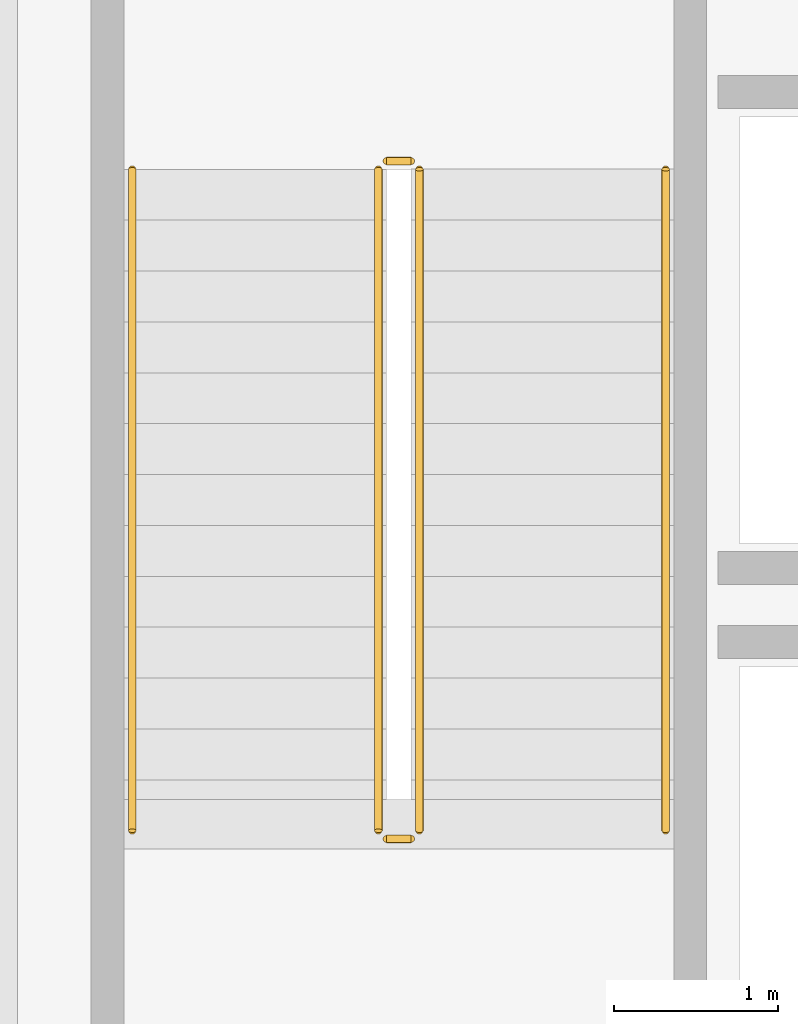
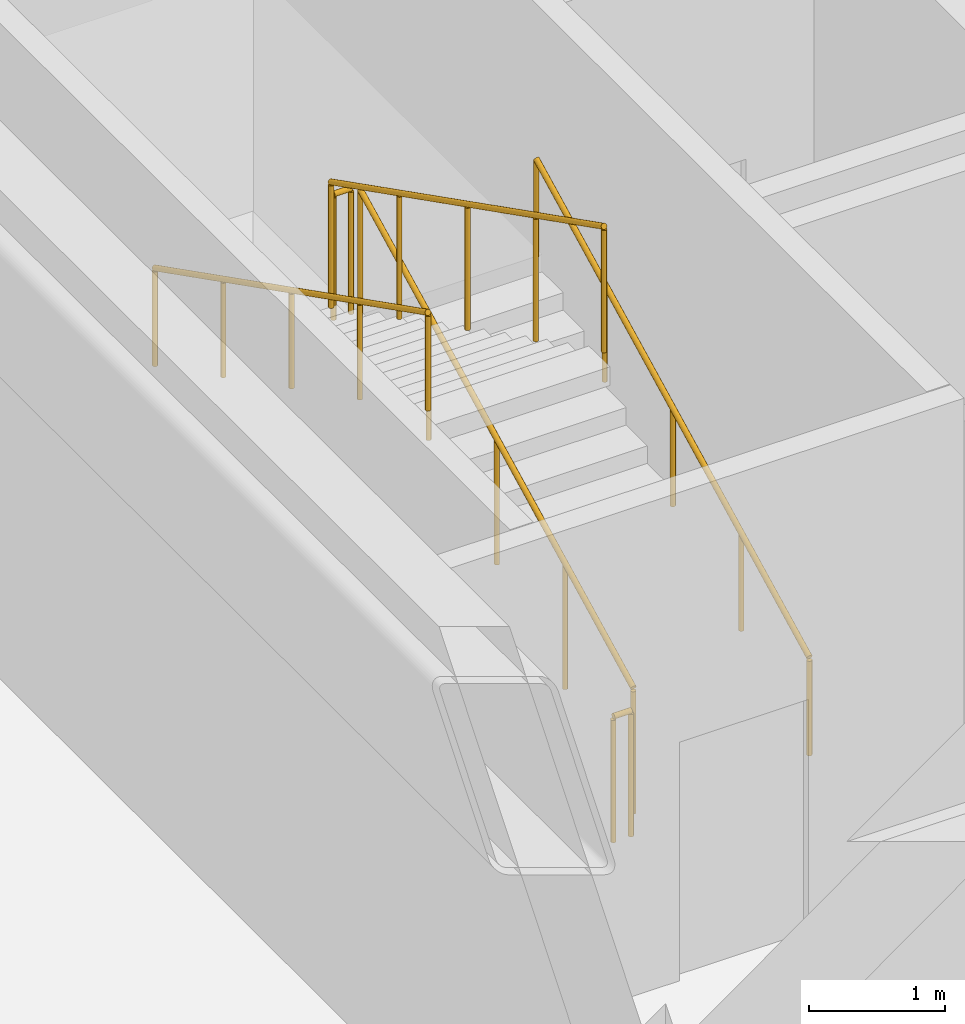
# One storey, part 10 of 12: 6 railings.
"""IFC4 building model written with IfcOpenShell, lengths in metres."""

from ifc_helpers import new_model, si_unit, direction, frame, origin, origin_2d, place, context, subcontext, project, spatial, circle, extrude, material, type_object, element, save


model = new_model("IFC4")

# Units and contexts
model_context = context("Model", 3, precision=1e-05, world=origin(), true_north=direction((0.0, 1.0)))
body_context = subcontext(model_context, "Body", "Model", "MODEL_VIEW")
ifc_project = project(units=[si_unit("LENGTHUNIT", "METRE"), si_unit("AREAUNIT", "SQUARE_METRE"), si_unit("VOLUMEUNIT", "CUBIC_METRE"), si_unit("PLANEANGLEUNIT", "RADIAN"), si_unit("MASSUNIT", "GRAM", prefix="KILO")], contexts=[model_context])

# Site, building, storey
site_placement = place(None, origin())
site = spatial("IfcSite", under=ifc_project, at=site_placement, CompositionType="ELEMENT")
building_placement = place(site_placement, origin())
building = spatial("IfcBuilding", under=site, at=building_placement, Name="Vaeldorn Concourse Tower", CompositionType="ELEMENT")
storey_placement = place(building_placement, frame((0.0, 0.0, 308.39990234375)))
storey = spatial("IfcBuildingStorey", under=building, at=storey_placement, Name="L79", CompositionType="ELEMENT", Elevation=308.39990234375)

# Railings
ifc_material = material(Name="Anodised Bronze Aluminium", Category="aluminium")
railing_type_1 = type_object("IfcRailingType", Name="RL-STAIR-GUARD", PredefinedType="GUARDRAIL", material=ifc_material)
railing_1_placement = place(storey_placement, frame((16.85009765625, 41.60009765625, 0.1572265625)))
element("IfcRailing", 1, at=railing_1_placement, inside=storey, type_object=railing_type_1, Name="L79 ST-1 stair guard 1", PredefinedType="GUARDRAIL", context=body_context, shape_type="SweptSolid", body=[
    extrude(circle(Radius=0.02392578125, at=origin_2d()), frame((0.0, 0.0, 1.1259765625), z_axis=(0.0, 0.891927692675, 0.452178052363), x_axis=(-1.0, 0.0, 0.0)), (0.0, 0.0, 1.0), 4.51806640625),
    extrude(circle(Radius=0.02099609375, at=origin_2d()), origin(), (0.0, 0.0, 1.0), 1.101806640625),
    extrude(circle(Radius=0.02099609375, at=origin_2d()), frame((0.0, 1.00732421875, 0.5107421875)), (0.0, 0.0, 1.0), 1.101806640625),
    extrude(circle(Radius=0.02099609375, at=origin_2d()), frame((0.0, 2.014892578125, 1.021484375)), (0.0, 0.0, 1.0), 1.101806640625),
    extrude(circle(Radius=0.02099609375, at=origin_2d()), frame((0.0, 3.0224609375, 1.5322265625)), (0.0, 0.0, 1.0), 1.101806640625),
    extrude(circle(Radius=0.02099609375, at=origin_2d()), frame((0.0, 4.02978515625, 2.04296875)), (0.0, 0.0, 1.0), 1.101806640625),
])
railing_2_placement = place(storey_placement, frame((16.800048828125, 45.679931640625, 2.2001953125)))
element("IfcRailing", 2, at=railing_2_placement, inside=storey, type_object=railing_type_1, Name="L79 ST-1 stair guard 2", PredefinedType="GUARDRAIL", context=body_context, shape_type="SweptSolid", body=[
    extrude(circle(Radius=0.02392578125, at=origin_2d()), frame((0.0, 0.0, 1.1259765625), z_axis=(-1.0, 0.0, 0.0), x_axis=(0.0, -1.0, 0.0)), (0.0, 0.0, 1.0), 0.150146484375),
    extrude(circle(Radius=0.02099609375, at=origin_2d()), origin(), (0.0, 0.0, 1.0), 1.101806640625),
    extrude(circle(Radius=0.02099609375, at=origin_2d()), frame((-0.150146484375, 0.0, 0.0)), (0.0, 0.0, 1.0), 1.101806640625),
])
railing_3_placement = place(storey_placement, frame((16.60009765625, 45.6298828125, 2.357177734375)))
element("IfcRailing", 3, at=railing_3_placement, inside=storey, type_object=railing_type_1, Name="L79 ST-1 stair guard 3", PredefinedType="GUARDRAIL", context=body_context, shape_type="SweptSolid", body=[
    extrude(circle(Radius=0.02392578125, at=origin_2d()), frame((0.0, 0.0, 1.1259765625), z_axis=(0.0, -0.891927692675, 0.452178052363), x_axis=(1.0, 0.0, 0.0)), (0.0, 0.0, 1.0), 4.51806640625),
    extrude(circle(Radius=0.02099609375, at=origin_2d()), origin(), (0.0, 0.0, 1.0), 1.101806640625),
    extrude(circle(Radius=0.02099609375, at=origin_2d()), frame((0.0, -1.00732421875, 0.5107421875)), (0.0, 0.0, 1.0), 1.101806640625),
    extrude(circle(Radius=0.02099609375, at=origin_2d()), frame((0.0, -2.014892578125, 1.021484375)), (0.0, 0.0, 1.0), 1.101806640625),
    extrude(circle(Radius=0.02099609375, at=origin_2d()), frame((0.0, -3.0224609375, 1.5322265625)), (0.0, 0.0, 1.0), 1.101806640625),
    extrude(circle(Radius=0.02099609375, at=origin_2d()), frame((0.0, -4.02978515625, 2.04296875)), (0.0, 0.0, 1.0), 1.101806640625),
])
railing_4_placement = place(storey_placement, frame((16.800048828125, 41.550048828125, 0.0)))
element("IfcRailing", 4, at=railing_4_placement, inside=storey, type_object=railing_type_1, Name="L79 ST-1 stair guard 4", PredefinedType="GUARDRAIL", context=body_context, shape_type="SweptSolid", body=[
    extrude(circle(Radius=0.02392578125, at=origin_2d()), frame((0.0, 0.0, 1.1259765625), z_axis=(-1.0, 0.0, 0.0), x_axis=(0.0, -1.0, 0.0)), (0.0, 0.0, 1.0), 0.150146484375),
    extrude(circle(Radius=0.02099609375, at=origin_2d()), origin(), (0.0, 0.0, 1.0), 1.101806640625),
    extrude(circle(Radius=0.02099609375, at=origin_2d()), frame((-0.150146484375, 0.0, 0.0)), (0.0, 0.0, 1.0), 1.101806640625),
])
railing_type_2 = type_object("IfcRailingType", Name="RL-STAIR-HANDRAIL", PredefinedType="HANDRAIL", material=ifc_material)
railing_5_placement = place(storey_placement, frame((18.35009765625, 41.60009765625, 0.1572265625)))
element("IfcRailing", 5, at=railing_5_placement, inside=storey, type_object=railing_type_2, Name="L79 ST-1 stair handrail 1", PredefinedType="HANDRAIL", context=body_context, shape_type="SweptSolid", body=[
    extrude(circle(Radius=0.02392578125, at=origin_2d()), frame((0.0, 0.0, 0.8759765625), z_axis=(0.0, 0.891927692675, 0.452178052363), x_axis=(-1.0, 0.0, 0.0)), (0.0, 0.0, 1.0), 4.51806640625),
    extrude(circle(Radius=0.02099609375, at=origin_2d()), origin(), (0.0, 0.0, 1.0), 0.851806640625),
    extrude(circle(Radius=0.02099609375, at=origin_2d()), frame((0.0, 1.00732421875, 0.5107421875)), (0.0, 0.0, 1.0), 0.851806640625),
    extrude(circle(Radius=0.02099609375, at=origin_2d()), frame((0.0, 2.014892578125, 1.021484375)), (0.0, 0.0, 1.0), 0.851806640625),
    extrude(circle(Radius=0.02099609375, at=origin_2d()), frame((0.0, 3.0224609375, 1.5322265625)), (0.0, 0.0, 1.0), 0.851806640625),
    extrude(circle(Radius=0.02099609375, at=origin_2d()), frame((0.0, 4.02978515625, 2.04296875)), (0.0, 0.0, 1.0), 0.851806640625),
])
railing_6_placement = place(storey_placement, frame((15.10009765625, 45.6298828125, 2.357177734375)))
element("IfcRailing", 6, at=railing_6_placement, inside=storey, type_object=railing_type_2, Name="L79 ST-1 stair handrail 2", PredefinedType="HANDRAIL", context=body_context, shape_type="SweptSolid", body=[
    extrude(circle(Radius=0.02392578125, at=origin_2d()), frame((0.0, 0.0, 0.8759765625), z_axis=(0.0, -0.891927692675, 0.452178052363), x_axis=(1.0, 0.0, 0.0)), (0.0, 0.0, 1.0), 4.51806640625),
    extrude(circle(Radius=0.02099609375, at=origin_2d()), origin(), (0.0, 0.0, 1.0), 0.851806640625),
    extrude(circle(Radius=0.02099609375, at=origin_2d()), frame((0.0, -1.00732421875, 0.5107421875)), (0.0, 0.0, 1.0), 0.851806640625),
    extrude(circle(Radius=0.02099609375, at=origin_2d()), frame((0.0, -2.014892578125, 1.021484375)), (0.0, 0.0, 1.0), 0.851806640625),
    extrude(circle(Radius=0.02099609375, at=origin_2d()), frame((0.0, -3.0224609375, 1.5322265625)), (0.0, 0.0, 1.0), 0.851806640625),
    extrude(circle(Radius=0.02099609375, at=origin_2d()), frame((0.0, -4.02978515625, 2.04296875)), (0.0, 0.0, 1.0), 0.851806640625),
])

save(model, "model.ifc")
